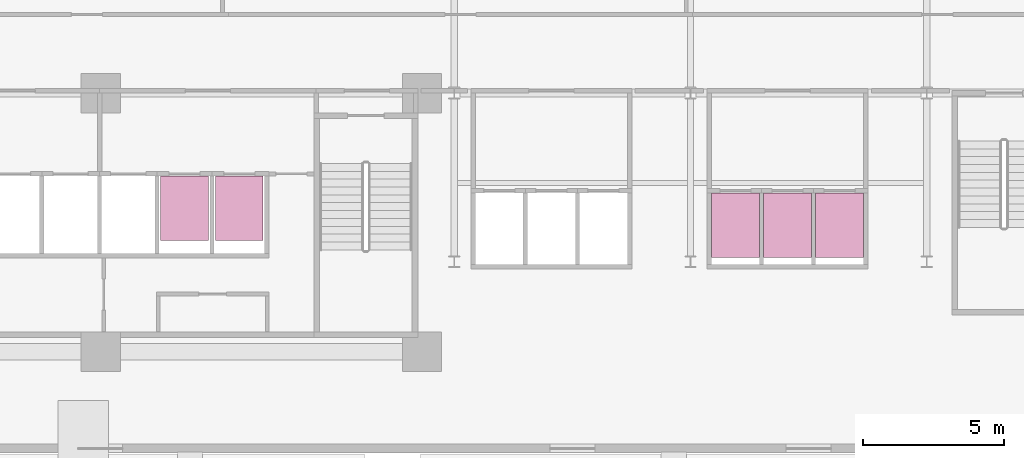
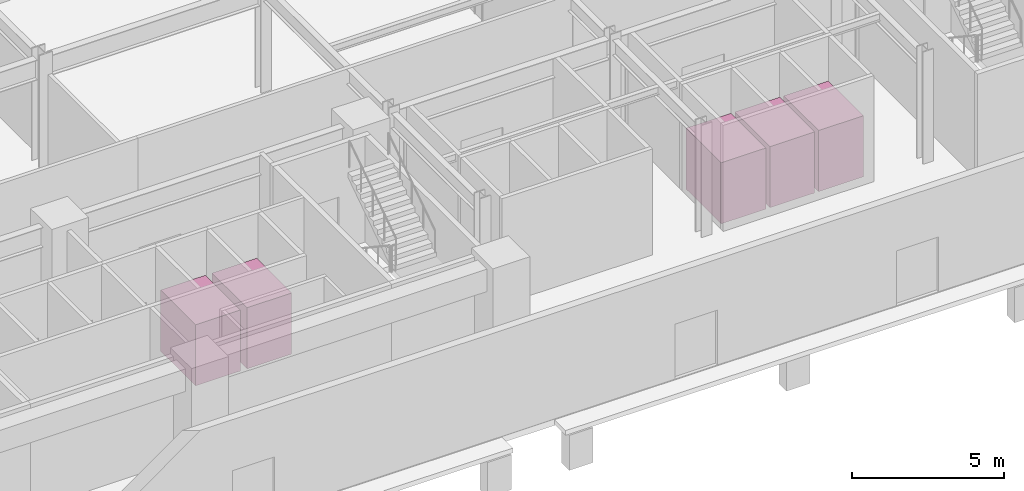
# One storey, part 26 of 26: 5 transport elements.
"""IFC4 building model written with IfcOpenShell, lengths in metres."""

from ifc_helpers import new_model, si_unit, direction, frame, origin, origin_2d, place, context, subcontext, project, spatial, rectangle, extrude, material, type_object, element, save


model = new_model("IFC4")

# Units and contexts
model_context = context("Model", 3, precision=1e-05, world=origin(), true_north=direction((0.0, 1.0)))
body_context = subcontext(model_context, "Body", "Model", "MODEL_VIEW")
ifc_project = project(units=[si_unit("LENGTHUNIT", "METRE"), si_unit("AREAUNIT", "SQUARE_METRE"), si_unit("VOLUMEUNIT", "CUBIC_METRE"), si_unit("PLANEANGLEUNIT", "RADIAN"), si_unit("MASSUNIT", "GRAM", prefix="KILO")], contexts=[model_context])

# Site, building, storey
site_placement = place(None, origin())
site = spatial("IfcSite", under=ifc_project, at=site_placement, CompositionType="ELEMENT")
building_placement = place(site_placement, origin())
building = spatial("IfcBuilding", under=site, at=building_placement, Name="Varnakote Quay Hospital", CompositionType="ELEMENT")
storey_placement = place(building_placement, origin())
storey = spatial("IfcBuildingStorey", under=building, at=storey_placement, Name="L00", CompositionType="ELEMENT", Elevation=0.0)

# Transport elements
ifc_material = material(Name="Brushed stainless steel lift car", Category="steel")
transport_element_type = type_object("IfcTransportElementType", Name="LFT-PS-1700x2300", PredefinedType="ELEVATOR", material=ifc_material)
for number, where, z_axis, x_axis, name in (
    (1, (15.60009765625, 7.89990234375, 0.0), (0.0, 0.0, 1.0), (1.0, 0.0, 0.0), "High-Rise Passenger Bank LF-PH1 Elevator Car"),
    (2, (17.550048828125, 7.89990234375, 0.0), (0.0, 0.0, 1.0), (1.0, 0.0, 0.0), "High-Rise Passenger Bank LF-PH2 Elevator Car"),
    (3, (35.199951171875, 7.300048828125, 0.0), (0.0, 0.0, 1.0), (1.0, 0.0, 0.0), "Mid-Rise Passenger Bank LF-PM1 Elevator Car"),
    (4, (37.050048828125, 7.300048828125, 0.0), (0.0, 0.0, 1.0), (1.0, 0.0, 0.0), "Mid-Rise Passenger Bank LF-PM2 Elevator Car"),
    (5, (38.89990234375, 7.300048828125, 0.0), (0.0, 0.0, 1.0), (1.0, 0.0, 0.0), "Mid-Rise Passenger Bank LF-PM3 Elevator Car"),
):
    element("IfcTransportElement", number, at=place(storey_placement, frame(where, z_axis=z_axis, x_axis=x_axis)), inside=storey, type_object=transport_element_type, Name=name, PredefinedType="ELEVATOR", context=body_context, shape_type="SweptSolid", body=[
        extrude(rectangle(XDim=1.699951171875, YDim=2.300048828125, at=origin_2d()), origin(), (0.0, 0.0, 1.0), 2.449951171875),
    ])

save(model, "model.ifc")
